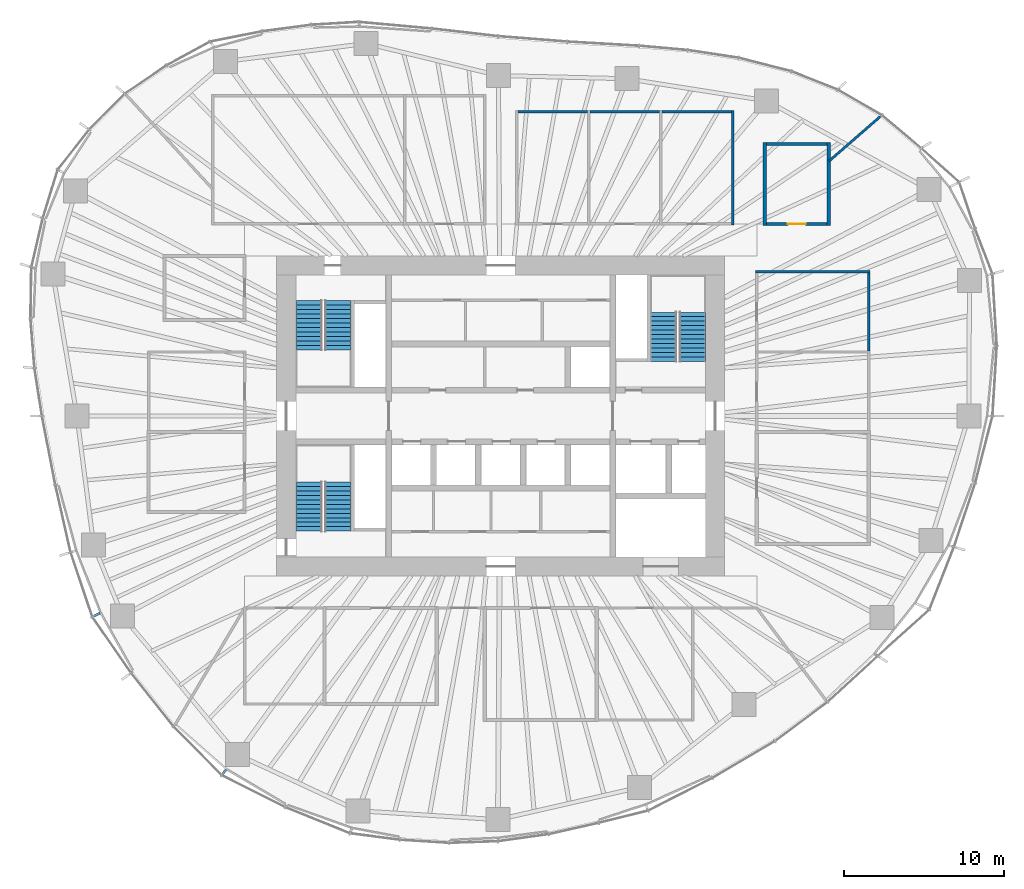
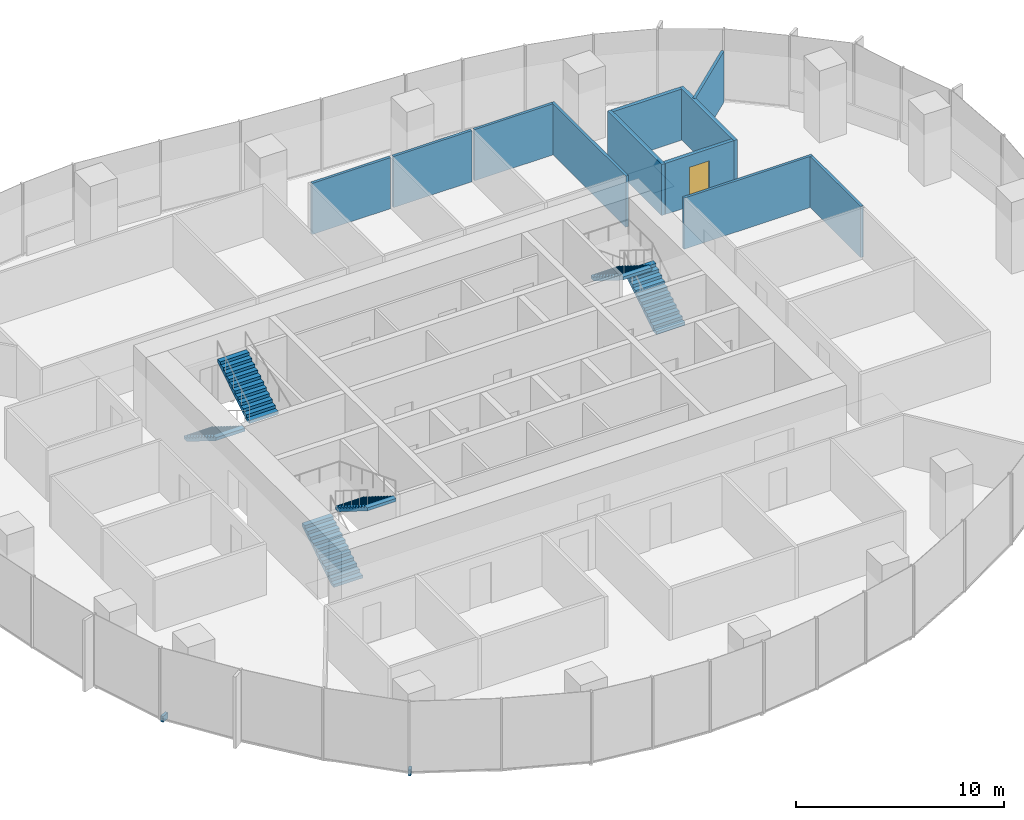
# One storey, part 11 of 18: 11 walls, 6 stair flights, 2 discrete accessories, 1 door, 1 opening, 3 elements without a shape of their own.
"""IFC4 building model written with IfcOpenShell, lengths in metres."""

from ifc_helpers import new_model, si_unit, direction, frame, frame_2d, origin, origin_2d, place, context, subcontext, project, spatial, polyline, rectangle, outline, extrude, material, layer, layer_set, type_object, element, fill, aggregate, save


model = new_model("IFC4")

# Units and contexts
model_context = context("Model", 3, precision=1e-05, world=origin(), true_north=direction((0.0, 1.0)))
body_context = subcontext(model_context, "Body", "Model", "MODEL_VIEW")
ifc_project = project(units=[si_unit("LENGTHUNIT", "METRE"), si_unit("AREAUNIT", "SQUARE_METRE"), si_unit("VOLUMEUNIT", "CUBIC_METRE"), si_unit("PLANEANGLEUNIT", "RADIAN"), si_unit("MASSUNIT", "GRAM", prefix="KILO")], contexts=[model_context])

# Site, building, storey
site_placement = place(None, origin())
site = spatial("IfcSite", under=ifc_project, at=site_placement, CompositionType="ELEMENT")
building_placement = place(site_placement, origin())
building = spatial("IfcBuilding", under=site, at=building_placement, Name="Ghaith Harvest Tower", CompositionType="ELEMENT")
storey_placement = place(building_placement, frame((0.0, 0.0, 121.800048828125)))
storey = spatial("IfcBuildingStorey", under=building, at=storey_placement, Name="L25", CompositionType="ELEMENT", Elevation=121.800048828125)

# Walls
ifc_material_1 = material(Name="Twin-stud gypsum board, acoustic", Category="gypsum")
ifc_layer_1 = layer(ifc_material_1, 0.199951171875)
ifc_layer_set_1 = layer_set([ifc_layer_1], Name="ACOUSTIC PARTITION 200")
wall_type_1 = type_object("IfcWallType", Name="ACOUSTIC PARTITION 200", PredefinedType="PARTITIONING", material=ifc_layer_set_1)
for number, where, z_axis, x_axis, name in (
    (1, (16.5, 11.89990234375, 0.0), (0.0, 0.0, 1.0), (0.0, 1.0, 0.0), "Partition L25 row N7 cross wall 1"),
    (2, (20.5, 11.89990234375, 0.0), (0.0, 0.0, 1.0), (0.0, 1.0, 0.0), "Partition L25 row N7 cross wall 2"),
):
    element("IfcWall", number, at=place(storey_placement, frame(where, z_axis=z_axis, x_axis=x_axis)), inside=storey, type_object=wall_type_1, Name=name, PredefinedType="PARTITIONING", context=body_context, shape_type="SweptSolid", body=[
        extrude(rectangle(XDim=5.2001953125, YDim=0.199951171875, at=frame_2d((2.60009765625, 0.0))), origin(), (0.0, 0.0, 1.0), 3.0),
    ])

# Wall, opening, door
wall_1_placement = place(storey_placement, frame((16.60009765625, 12.0, 0.0), z_axis=(0.0, 0.0, 1.0), x_axis=(1.0, 0.0, 0.0)))
wall_1 = element("IfcWall", 3, at=wall_1_placement, inside=storey, type_object=wall_type_1, Name="Partition L25-15", PredefinedType="PARTITIONING", context=body_context, shape_type="SweptSolid", body=[
    extrude(rectangle(XDim=3.7998046875, YDim=0.199951171875, at=frame_2d((1.89990234375, 0.0))), origin(), (0.0, 0.0, 1.0), 3.0),
])
opening_placement = place(wall_1_placement, frame((1.35009765625, 0.0, 0.0)))
opening = element("IfcOpeningElement", 4, at=opening_placement, cuts=wall_1, Name="Opening 25-040", PredefinedType="OPENING", context=body_context, shape_type="SweptSolid", body=[
    extrude(rectangle(XDim=1.10009765625, YDim=2.300048828125, at=frame_2d((0.550048828125, 1.14990234375))), frame((0.0, 0.10986328125, 0.0), z_axis=(0.0, -1.0, 0.0), x_axis=(1.0, 0.0, 0.0)), (0.0, 0.0, 1.0), 0.219970703125),
])
ifc_material_2 = material(Name="Timber-framed glazed door", Category="wood")
door_type = type_object("IfcDoorType", Name="D12 GLAZED OFFICE 1100x2300", OperationType="SINGLE_SWING_LEFT", PredefinedType="DOOR", material=ifc_material_2)
door_placement = place(opening_placement, origin())
door = element("IfcDoor", 5, at=door_placement, inside=storey, type_object=door_type, Name="Focus room door", OperationType="SINGLE_SWING_LEFT", OverallHeight=2.300048828125, OverallWidth=1.10009765625, PredefinedType="DOOR", context=body_context, shape_type="SweptSolid", body=[
    extrude(rectangle(XDim=1.10009765625, YDim=2.300048828125, at=frame_2d((0.550048828125, 1.14990234375))), frame((0.0, 0.02490234375, 0.0), z_axis=(0.0, -1.0, 0.0), x_axis=(1.0, 0.0, 0.0)), (0.0, 0.0, 1.0), 0.050048828125),
])
fill(opening, door)

# Walls
wall_2_placement = place(storey_placement, frame((16.60009765625, 17.0, 0.0), z_axis=(0.0, 0.0, 1.0), x_axis=(1.0, 0.0, 0.0)))
element("IfcWall", 6, at=wall_2_placement, inside=storey, type_object=wall_type_1, Name="Partition L25-15", PredefinedType="PARTITIONING", context=body_context, shape_type="SweptSolid", body=[
    extrude(rectangle(XDim=3.7998046875, YDim=0.199951171875, at=frame_2d((1.89990234375, 0.0))), origin(), (0.0, 0.0, 1.0), 3.0),
])
ifc_material_3 = material(Name="Gypsum board on steel studs", Category="steel")
ifc_layer_2 = layer(ifc_material_3, 0.14990234375)
ifc_layer_set_2 = layer_set([ifc_layer_2], Name="PARTITION 150")
wall_type_2 = type_object("IfcWallType", Name="PARTITION 150", PredefinedType="PARTITIONING", material=ifc_layer_set_2)
wall_3_placement = place(storey_placement, frame((14.5, 11.925048828125, 0.0), z_axis=(0.0, 0.0, 1.0), x_axis=(0.0, 1.0, 0.0)))
element("IfcWall", 7, at=wall_3_placement, inside=storey, type_object=wall_type_2, Name="Partition L25 row N2 cross wall 4", PredefinedType="PARTITIONING", context=body_context, shape_type="SweptSolid", body=[
    extrude(rectangle(XDim=7.14990234375, YDim=0.14990234375, at=frame_2d((3.574951171875, 0.0))), origin(), (0.0, 0.0, 1.0), 3.0),
])
for number, where, z_axis, x_axis, name in (
    (8, (1.074951171875, 19.0, 0.0), (0.0, 0.0, 1.0), (1.0, 0.0, 0.0), "Partition L25-03"),
    (9, (5.574951171875, 19.0, 0.0), (0.0, 0.0, 1.0), (1.0, 0.0, 0.0), "Partition L25-04"),
    (10, (10.074951171875, 19.0, 0.0), (0.0, 0.0, 1.0), (1.0, 0.0, 0.0), "Partition L25-05"),
):
    element("IfcWall", number, at=place(storey_placement, frame(where, z_axis=z_axis, x_axis=x_axis)), inside=storey, type_object=wall_type_2, Name=name, PredefinedType="PARTITIONING", context=body_context, shape_type="SweptSolid", body=[
        extrude(rectangle(XDim=4.35009765625, YDim=0.14990234375, at=frame_2d((2.175048828125, 0.0))), origin(), (0.0, 0.0, 1.0), 3.0),
    ])
wall_4_placement = place(storey_placement, frame((15.925048828125, 9.0, 0.0), z_axis=(0.0, 0.0, 1.0), x_axis=(1.0, 0.0, 0.0)))
element("IfcWall", 11, at=wall_4_placement, inside=storey, type_object=wall_type_2, Name="Partition L25 row E5 cross wall 4", PredefinedType="PARTITIONING", context=body_context, shape_type="SweptSolid", body=[
    extrude(rectangle(XDim=7.14990234375, YDim=0.14990234375, at=frame_2d((3.574951171875, 0.0))), origin(), (0.0, 0.0, 1.0), 3.0),
])
wall_5_placement = place(storey_placement, frame((23.0, 4.074951171875, 0.0), z_axis=(0.0, 0.0, 1.0), x_axis=(0.0, 1.0, 0.0)))
element("IfcWall", 12, at=wall_5_placement, inside=storey, type_object=wall_type_2, Name="Partition L25-12", PredefinedType="PARTITIONING", context=body_context, shape_type="SweptSolid", body=[
    extrude(rectangle(XDim=4.85009765625, YDim=0.14990234375, at=frame_2d((2.425048828125, 0.0))), origin(), (0.0, 0.0, 1.0), 3.0),
])
wall_6_placement = place(storey_placement, frame((20.52001953125, 15.929443359375, 0.0), z_axis=(0.0, 0.0, 1.0), x_axis=(0.754686299234, 0.656085809745, 0.0)))
element("IfcWall", 13, at=wall_6_placement, inside=storey, type_object=wall_type_2, Name="Partition L25 zone division", PredefinedType="PARTITIONING", context=body_context, shape_type="SweptSolid", body=[
    extrude(rectangle(XDim=4.22900390625, YDim=0.14990234375, at=frame_2d((2.114501953125, 0.0))), origin(), (0.0, 0.0, 1.0), 3.0),
])

# Stair, stair flights
ifc_material_4 = material(Name="Concrete C40/50, precast", Category="concrete")
stair_type = type_object("IfcStairType", Name="CORE STAIR 24R", PredefinedType="HALF_TURN_STAIR", material=ifc_material_4)
stair_1_placement = place(storey_placement, origin())
stair_1 = element("IfcStair", 14, at=stair_1_placement, inside=storey, type_object=stair_type, Name="Stair ST1 L25", PredefinedType="HALF_TURN_STAIR")
ifc_material_5 = material(Name="Concrete C40/50, precast", Category="concrete")
stair_flight_type = type_object("IfcStairFlightType", Name="CORE FLIGHT 12R 1600", PredefinedType="STRAIGHT", material=ifc_material_5)
stair_flight_1_placement = place(storey_placement, frame((-12.0, 7.199951171875, 0.0), z_axis=(0.0, 0.0, 1.0), x_axis=(0.0, -1.0, 0.0)))
stair_flight_1 = element("IfcStairFlight", 15, at=stair_flight_1_placement, type_object=stair_flight_type, Name="ST1 flight 1", NumberOfRisers=12, NumberOfTreads=11, PredefinedType="STRAIGHT", RiserHeight=0.175, TreadLength=0.28, context=body_context, shape_type="SweptSolid", body=[
    extrude(outline(polyline([(0.0, 0.0), (0.0, 0.175048828125), (0.280029296875, 0.175048828125), (0.280029296875, 0.35009765625), (0.56005859375, 0.35009765625), (0.56005859375, 0.52490234375), (0.840087890625, 0.52490234375), (0.840087890625, 0.699951171875), (1.1201171875, 0.699951171875), (1.1201171875, 0.875), (1.39990234375, 0.875), (1.39990234375, 1.050048828125), (1.679931640625, 1.050048828125), (1.679931640625, 1.22509765625), (1.9599609375, 1.22509765625), (1.9599609375, 1.39990234375), (2.239990234375, 1.39990234375), (2.239990234375, 1.574951171875), (2.52001953125, 1.574951171875), (2.52001953125, 1.75), (2.800048828125, 1.75), (2.800048828125, 1.925048828125), (3.080078125, 1.925048828125), (3.080078125, 2.10009765625), (3.080078125, 1.748291015625), (0.28271484375, 0.0), (0.0, 0.0)])), frame((0.0, 0.800048828125, 0.0), z_axis=(0.0, -1.0, 0.0), x_axis=(1.0, 0.0, 0.0)), (0.0, 0.0, 1.0), 1.60009765625),
])
stair_flight_2_placement = place(storey_placement, frame((-10.14990234375, 4.1201171875, 2.099853515625), z_axis=(0.0, 0.0, 1.0), x_axis=(0.0, 1.0, 0.0)))
stair_flight_2 = element("IfcStairFlight", 16, at=stair_flight_2_placement, type_object=stair_flight_type, Name="ST1 flight 2", NumberOfRisers=12, NumberOfTreads=11, PredefinedType="STRAIGHT", RiserHeight=0.175, TreadLength=0.28, context=body_context, shape_type="SweptSolid", body=[
    extrude(outline(polyline([(0.0, 0.0), (0.0, 0.175048828125), (0.280029296875, 0.175048828125), (0.280029296875, 0.35009765625), (0.56005859375, 0.35009765625), (0.56005859375, 0.52490234375), (0.840087890625, 0.52490234375), (0.840087890625, 0.699951171875), (1.1201171875, 0.699951171875), (1.1201171875, 0.875), (1.39990234375, 0.875), (1.39990234375, 1.050048828125), (1.679931640625, 1.050048828125), (1.679931640625, 1.22509765625), (1.9599609375, 1.22509765625), (1.9599609375, 1.39990234375), (2.239990234375, 1.39990234375), (2.239990234375, 1.574951171875), (2.52001953125, 1.574951171875), (2.52001953125, 1.75), (2.800048828125, 1.75), (2.800048828125, 1.925048828125), (3.080078125, 1.925048828125), (3.080078125, 2.10009765625), (3.080078125, 1.748291015625), (0.28271484375, 0.0), (0.0, 0.0)])), frame((0.0, 0.800048828125, 0.0), z_axis=(0.0, -1.0, 0.0), x_axis=(1.0, 0.0, 0.0)), (0.0, 0.0, 1.0), 1.60009765625),
])
aggregate(stair_1, [stair_flight_1, stair_flight_2])

stair_2_placement = place(storey_placement, origin())
stair_2 = element("IfcStair", 17, at=stair_2_placement, inside=storey, type_object=stair_type, Name="Stair ST3 L25", PredefinedType="HALF_TURN_STAIR")
stair_flight_3_placement = place(storey_placement, frame((-12.0, -7.199951171875, 0.0), z_axis=(0.0, 0.0, 1.0), x_axis=(0.0, 1.0, 0.0)))
stair_flight_3 = element("IfcStairFlight", 18, at=stair_flight_3_placement, type_object=stair_flight_type, Name="ST3 flight 1", NumberOfRisers=12, NumberOfTreads=11, PredefinedType="STRAIGHT", RiserHeight=0.175, TreadLength=0.28, context=body_context, shape_type="SweptSolid", body=[
    extrude(outline(polyline([(0.0, 0.0), (0.0, 0.175048828125), (0.280029296875, 0.175048828125), (0.280029296875, 0.35009765625), (0.56005859375, 0.35009765625), (0.56005859375, 0.52490234375), (0.840087890625, 0.52490234375), (0.840087890625, 0.699951171875), (1.1201171875, 0.699951171875), (1.1201171875, 0.875), (1.39990234375, 0.875), (1.39990234375, 1.050048828125), (1.679931640625, 1.050048828125), (1.679931640625, 1.22509765625), (1.9599609375, 1.22509765625), (1.9599609375, 1.39990234375), (2.239990234375, 1.39990234375), (2.239990234375, 1.574951171875), (2.52001953125, 1.574951171875), (2.52001953125, 1.75), (2.800048828125, 1.75), (2.800048828125, 1.925048828125), (3.080078125, 1.925048828125), (3.080078125, 2.10009765625), (3.080078125, 1.748291015625), (0.28271484375, 0.0), (0.0, 0.0)])), frame((0.0, 0.800048828125, 0.0), z_axis=(0.0, -1.0, 0.0), x_axis=(1.0, 0.0, 0.0)), (0.0, 0.0, 1.0), 1.60009765625),
])
stair_flight_4_placement = place(storey_placement, frame((-10.14990234375, -4.1201171875, 2.099853515625), z_axis=(0.0, 0.0, 1.0), x_axis=(0.0, -1.0, 0.0)))
stair_flight_4 = element("IfcStairFlight", 19, at=stair_flight_4_placement, type_object=stair_flight_type, Name="ST3 flight 2", NumberOfRisers=12, NumberOfTreads=11, PredefinedType="STRAIGHT", RiserHeight=0.175, TreadLength=0.28, context=body_context, shape_type="SweptSolid", body=[
    extrude(outline(polyline([(0.0, 0.0), (0.0, 0.175048828125), (0.280029296875, 0.175048828125), (0.280029296875, 0.35009765625), (0.56005859375, 0.35009765625), (0.56005859375, 0.52490234375), (0.840087890625, 0.52490234375), (0.840087890625, 0.699951171875), (1.1201171875, 0.699951171875), (1.1201171875, 0.875), (1.39990234375, 0.875), (1.39990234375, 1.050048828125), (1.679931640625, 1.050048828125), (1.679931640625, 1.22509765625), (1.9599609375, 1.22509765625), (1.9599609375, 1.39990234375), (2.239990234375, 1.39990234375), (2.239990234375, 1.574951171875), (2.52001953125, 1.574951171875), (2.52001953125, 1.75), (2.800048828125, 1.75), (2.800048828125, 1.925048828125), (3.080078125, 1.925048828125), (3.080078125, 2.10009765625), (3.080078125, 1.748291015625), (0.28271484375, 0.0), (0.0, 0.0)])), frame((0.0, 0.800048828125, 0.0), z_axis=(0.0, -1.0, 0.0), x_axis=(1.0, 0.0, 0.0)), (0.0, 0.0, 1.0), 1.60009765625),
])
aggregate(stair_2, [stair_flight_3, stair_flight_4])

stair_3_placement = place(storey_placement, origin())
stair_3 = element("IfcStair", 20, at=stair_3_placement, inside=storey, type_object=stair_type, Name="Stair ST2 L25", PredefinedType="HALF_TURN_STAIR")
stair_flight_5_placement = place(storey_placement, frame((12.0, 3.39990234375, 0.0), z_axis=(0.0, 0.0, 1.0), x_axis=(0.0, 1.0, 0.0)))
stair_flight_5 = element("IfcStairFlight", 21, at=stair_flight_5_placement, type_object=stair_flight_type, Name="ST2 flight 1", NumberOfRisers=12, NumberOfTreads=11, PredefinedType="STRAIGHT", RiserHeight=0.175, TreadLength=0.28, context=body_context, shape_type="SweptSolid", body=[
    extrude(outline(polyline([(0.0, 0.0), (0.0, 0.175048828125), (0.280029296875, 0.175048828125), (0.280029296875, 0.35009765625), (0.56005859375, 0.35009765625), (0.56005859375, 0.52490234375), (0.840087890625, 0.52490234375), (0.840087890625, 0.699951171875), (1.1201171875, 0.699951171875), (1.1201171875, 0.875), (1.39990234375, 0.875), (1.39990234375, 1.050048828125), (1.679931640625, 1.050048828125), (1.679931640625, 1.22509765625), (1.9599609375, 1.22509765625), (1.9599609375, 1.39990234375), (2.239990234375, 1.39990234375), (2.239990234375, 1.574951171875), (2.52001953125, 1.574951171875), (2.52001953125, 1.75), (2.800048828125, 1.75), (2.800048828125, 1.925048828125), (3.080078125, 1.925048828125), (3.080078125, 2.10009765625), (3.080078125, 1.748291015625), (0.28271484375, 0.0), (0.0, 0.0)])), frame((0.0, 0.800048828125, 0.0), z_axis=(0.0, -1.0, 0.0), x_axis=(1.0, 0.0, 0.0)), (0.0, 0.0, 1.0), 1.60009765625),
])
stair_flight_6_placement = place(storey_placement, frame((10.14990234375, 6.47998046875, 2.099853515625), z_axis=(0.0, 0.0, 1.0), x_axis=(0.0, -1.0, 0.0)))
stair_flight_6 = element("IfcStairFlight", 22, at=stair_flight_6_placement, type_object=stair_flight_type, Name="ST2 flight 2", NumberOfRisers=12, NumberOfTreads=11, PredefinedType="STRAIGHT", RiserHeight=0.175, TreadLength=0.28, context=body_context, shape_type="SweptSolid", body=[
    extrude(outline(polyline([(0.0, 0.0), (0.0, 0.175048828125), (0.280029296875, 0.175048828125), (0.280029296875, 0.35009765625), (0.56005859375, 0.35009765625), (0.56005859375, 0.52490234375), (0.840087890625, 0.52490234375), (0.840087890625, 0.699951171875), (1.1201171875, 0.699951171875), (1.1201171875, 0.875), (1.39990234375, 0.875), (1.39990234375, 1.050048828125), (1.679931640625, 1.050048828125), (1.679931640625, 1.22509765625), (1.9599609375, 1.22509765625), (1.9599609375, 1.39990234375), (2.239990234375, 1.39990234375), (2.239990234375, 1.574951171875), (2.52001953125, 1.574951171875), (2.52001953125, 1.75), (2.800048828125, 1.75), (2.800048828125, 1.925048828125), (3.080078125, 1.925048828125), (3.080078125, 2.10009765625), (3.080078125, 1.748291015625), (0.28271484375, 0.0), (0.0, 0.0)])), frame((0.0, 0.800048828125, 0.0), z_axis=(0.0, -1.0, 0.0), x_axis=(1.0, 0.0, 0.0)), (0.0, 0.0, 1.0), 1.60009765625),
])
aggregate(stair_3, [stair_flight_5, stair_flight_6])

# Discrete accessories
ifc_material_6 = material(Name="Stainless steel grade 1.4401", Category="steel")
discrete_accessory_type_1 = type_object("IfcDiscreteAccessoryType", Name="CURTAIN WALL BRACKET 315", PredefinedType="BRACKET", material=ifc_material_6)
discrete_accessory_1_placement = place(storey_placement, frame((-17.266357421875, -22.232421875, -0.25), z_axis=(0.0, 0.0, 1.0), x_axis=(-0.613377713774, -0.789789706343, 0.0)))
element("IfcDiscreteAccessory", 23, at=discrete_accessory_1_placement, inside=storey, type_object=discrete_accessory_type_1, Name="CW-L bracket 1 bay 14 L25", PredefinedType="BRACKET", context=body_context, shape_type="SweptSolid", body=[
    extrude(rectangle(XDim=0.31494140625, YDim=0.14990234375, at=origin_2d()), origin(), (0.0, 0.0, 1.0), 0.35009765625),
])
ifc_material_7 = material(Name="Stainless steel grade 1.4401", Category="steel")
discrete_accessory_type_2 = type_object("IfcDiscreteAccessoryType", Name="CURTAIN WALL BRACKET 415", PredefinedType="BRACKET", material=ifc_material_7)
discrete_accessory_2_placement = place(storey_placement, frame((-25.228515625, -12.41796875, -0.25), z_axis=(0.0, 0.0, 1.0), x_axis=(-0.897201221415, -0.441621974421, 0.0)))
element("IfcDiscreteAccessory", 24, at=discrete_accessory_2_placement, inside=storey, type_object=discrete_accessory_type_2, Name="CW-L bracket 2 bay 12 L25", PredefinedType="BRACKET", context=body_context, shape_type="SweptSolid", body=[
    extrude(rectangle(XDim=0.4150390625, YDim=0.14990234375, at=origin_2d()), origin(), (0.0, 0.0, 1.0), 0.35009765625),
])

save(model, "model.ifc")
